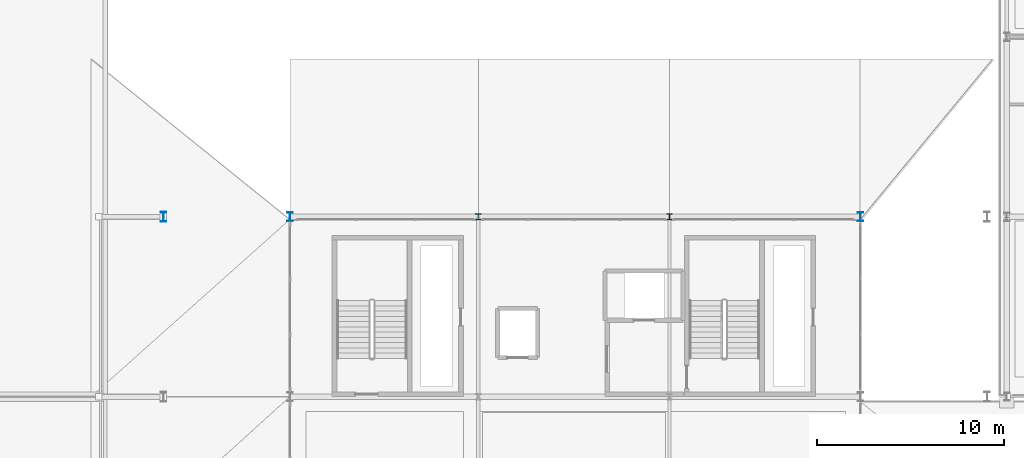
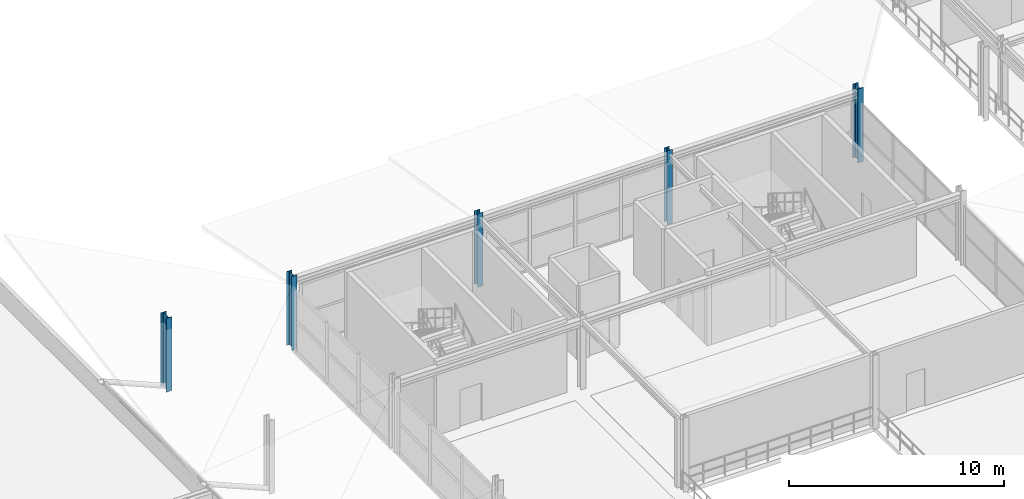
# One storey, part 7 of 81: 5 columns.
"""IFC4 building model written with IfcOpenShell, lengths in metres."""

from ifc_helpers import new_model, si_unit, direction, frame, origin, origin_2d, place, context, subcontext, project, spatial, i_section, extrude, material, material_profile, profile_set, type_object, element, save


model = new_model("IFC4")

# Units and contexts
model_context = context("Model", 3, precision=1e-05, world=origin(), true_north=direction((0.0, 1.0)))
body_context = subcontext(model_context, "Body", "Model", "MODEL_VIEW")
ifc_project = project(units=[si_unit("LENGTHUNIT", "METRE"), si_unit("AREAUNIT", "SQUARE_METRE"), si_unit("VOLUMEUNIT", "CUBIC_METRE"), si_unit("PLANEANGLEUNIT", "RADIAN"), si_unit("MASSUNIT", "GRAM", prefix="KILO")], contexts=[model_context])

# Site, building, storey
site_placement = place(None, origin())
site = spatial("IfcSite", under=ifc_project, at=site_placement, CompositionType="ELEMENT")
building_placement = place(site_placement, origin())
building = spatial("IfcBuilding", under=site, at=building_placement, Name="Myrtia Square Station", CompositionType="ELEMENT")
storey_placement = place(building_placement, frame((0.0, 0.0, 10.800048828125)))
storey = spatial("IfcBuildingStorey", under=building, at=storey_placement, Name="L02", CompositionType="ELEMENT", Elevation=10.800048828125)

# Columns
ifc_material = material(Name="Steel S355", Category="steel")
ifc_material_profile_1 = material_profile(ifc_material, i_section(OverallWidth=0.300048828125, OverallDepth=0.5400390625, WebThickness=0.012451171875, FlangeThickness=0.02392578125, FilletRadius=0.027099609375, at=origin_2d()), Name="HEA 550")
ifc_profile_set_1 = profile_set([ifc_material_profile_1], Name="Steel S355")
column_type_1 = type_object("IfcColumnType", Name="COL-HEA550", PredefinedType="COLUMN", material=ifc_profile_set_1)
column_placement = place(storey_placement, frame((72.60009765625, 96.0, 0.0), z_axis=(0.0, 0.0, 1.0), x_axis=(1.0, 0.0, 0.0)))
element("IfcColumn", 1, at=column_placement, inside=storey, type_object=column_type_1, Name="Column L02-0398", PredefinedType="COLUMN", context=body_context, shape_type="SweptSolid", body=[
    extrude(i_section(OverallWidth=0.300048828125, OverallDepth=0.5400390625, WebThickness=0.012451171875, FlangeThickness=0.02392578125, FilletRadius=0.027099609375, at=origin_2d()), origin(), (0.0, 0.0, 1.0), 4.199951171875),
])
ifc_material_profile_2 = material_profile(ifc_material, i_section(OverallWidth=0.300048828125, OverallDepth=0.300048828125, WebThickness=0.010986328125, FlangeThickness=0.01904296875, FilletRadius=0.027099609375, at=origin_2d()), Name="HEB 300")
ifc_profile_set_2 = profile_set([ifc_material_profile_2], Name="Steel S355")
column_type_2 = type_object("IfcColumnType", Name="COL-HEB300", PredefinedType="COLUMN", material=ifc_profile_set_2)
for number, where, z_axis, x_axis, name in (
    (2, (89.39990234375, 96.0, 0.0), (0.0, 0.0, 1.0), (1.0, 0.0, 0.0), "Column L02-0447"),
    (3, (99.60009765625, 96.0, 0.0), (0.0, 0.0, 1.0), (1.0, 0.0, 0.0), "Column L02-0479"),
):
    element("IfcColumn", number, at=place(storey_placement, frame(where, z_axis=z_axis, x_axis=x_axis)), inside=storey, type_object=column_type_2, Name=name, PredefinedType="COLUMN", context=body_context, shape_type="SweptSolid", body=[
        extrude(i_section(OverallWidth=0.300048828125, OverallDepth=0.300048828125, WebThickness=0.010986328125, FlangeThickness=0.01904296875, FilletRadius=0.027099609375, at=origin_2d()), origin(), (0.0, 0.0, 1.0), 4.199951171875),
    ])
ifc_material_profile_3 = material_profile(ifc_material, i_section(OverallWidth=0.300048828125, OverallDepth=0.5, WebThickness=0.014404296875, FlangeThickness=0.028076171875, FilletRadius=0.027099609375, at=origin_2d()), Name="HEB 500")
ifc_profile_set_3 = profile_set([ifc_material_profile_3], Name="Steel S355")
column_type_3 = type_object("IfcColumnType", Name="COL-HEB500", PredefinedType="COLUMN", material=ifc_profile_set_3)
for number, where, z_axis, x_axis, name in (
    (4, (79.35009765625, 96.0, 0.0), (0.0, 0.0, 1.0), (1.0, 0.0, 0.0), "Column L02-0408"),
    (5, (109.800048828125, 96.0, 0.0), (0.0, 0.0, 1.0), (1.0, 0.0, 0.0), "Column L02-0414"),
):
    element("IfcColumn", number, at=place(storey_placement, frame(where, z_axis=z_axis, x_axis=x_axis)), inside=storey, type_object=column_type_3, Name=name, PredefinedType="COLUMN", context=body_context, shape_type="SweptSolid", body=[
        extrude(i_section(OverallWidth=0.300048828125, OverallDepth=0.5, WebThickness=0.014404296875, FlangeThickness=0.028076171875, FilletRadius=0.027099609375, at=origin_2d()), origin(), (0.0, 0.0, 1.0), 4.199951171875),
    ])

save(model, "model.ifc")
